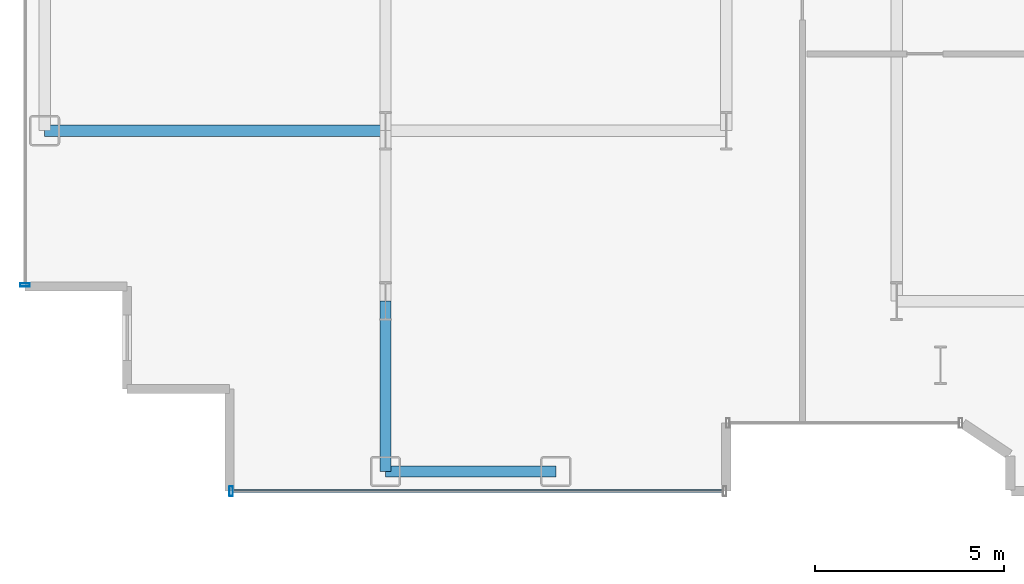
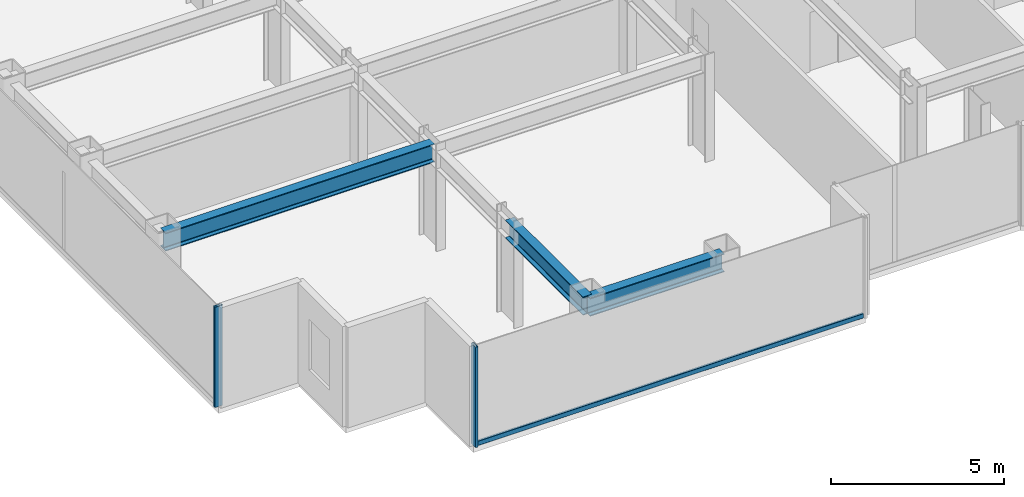
# One storey, part 2 of 26: 3 beams, 3 members, 2 elements without a shape of their own.
"""IFC4 building model written with IfcOpenShell, lengths in metres."""

from ifc_helpers import new_model, si_unit, direction, frame, origin, origin_2d, place, context, subcontext, project, spatial, hollow_rectangle, i_section, extrude, source, transform, mapped, material, layer, layer_set, material_profile, profile_set, type_object, element, aggregate, save


model = new_model("IFC4")

# Units and contexts
model_context = context("Model", 3, precision=1e-05, world=origin(), true_north=direction((0.0, 1.0)))
body_context = subcontext(model_context, "Body", "Model", "MODEL_VIEW")
ifc_project = project(units=[si_unit("LENGTHUNIT", "METRE"), si_unit("AREAUNIT", "SQUARE_METRE"), si_unit("VOLUMEUNIT", "CUBIC_METRE"), si_unit("PLANEANGLEUNIT", "RADIAN"), si_unit("MASSUNIT", "GRAM", prefix="KILO")], contexts=[model_context])

# Site, building, storey
site_placement = place(None, origin())
site = spatial("IfcSite", under=ifc_project, at=site_placement, CompositionType="ELEMENT")
building_placement = place(site_placement, origin())
building = spatial("IfcBuilding", under=site, at=building_placement, Name="Nefas-Gora Pilgrimage Tower", CompositionType="ELEMENT")
storey_placement = place(building_placement, frame((0.0, 0.0, 128.800048828125)))
storey = spatial("IfcBuildingStorey", under=building, at=storey_placement, Name="L31", CompositionType="ELEMENT", Elevation=128.800048828125)

# Beams
ifc_material_1 = material(Name="Steel S355", Category="steel")
ifc_material_profile_1 = material_profile(ifc_material_1, i_section(OverallWidth=0.300048828125, OverallDepth=0.64990234375, WebThickness=0.01611328125, FlangeThickness=0.031005859375, FilletRadius=0.027099609375, at=origin_2d()), Name="HEB 650")
ifc_profile_set_1 = profile_set([ifc_material_profile_1], Name="Steel S355")
beam_type_1 = type_object("IfcBeamType", Name="BM-SPN-HEB500", PredefinedType="SPANDREL", material=ifc_profile_set_1)
shared_shape_1 = source(origin(), body_context, "Body", "SweptSolid", [
    extrude(i_section(OverallWidth=0.300048828125, OverallDepth=0.64990234375, WebThickness=0.01611328125, FlangeThickness=0.031005859375, FilletRadius=0.027099609375, at=origin_2d()), origin(), (0.0, 0.0, 1.0), 4.5),
])
beam_1_placement = place(storey_placement, frame((-24.75, -22.5, 3.224853515625), z_axis=(1.0, 0.0, 0.0), x_axis=(0.0, 1.0, 0.0)))
element("IfcBeam", 1, at=beam_1_placement, inside=storey, type_object=beam_type_1, Name="L31 SP-02 beam", PredefinedType="SPANDREL", context=body_context, shape_type="MappedRepresentation", body=[
    mapped(shared_shape_1, transform((0.0, 0.0, 0.0), x_axis=(1.0, 0.0, 0.0), y_axis=(0.0, 1.0, 0.0), z_axis=(0.0, 0.0, 1.0), scale=1.0)),
])
ifc_material_profile_2 = material_profile(ifc_material_1, i_section(OverallWidth=0.300048828125, OverallDepth=0.64990234375, WebThickness=0.01611328125, FlangeThickness=0.031005859375, FilletRadius=0.027099609375, at=origin_2d()), Name="HEB 650")
ifc_profile_set_2 = profile_set([ifc_material_profile_2], Name="Steel S355")
beam_type_2 = type_object("IfcBeamType", Name="BM-GIR-HEB650", PredefinedType="BEAM", material=ifc_profile_set_2)
shared_shape_2 = source(origin(), body_context, "Body", "SweptSolid", [
    extrude(i_section(OverallWidth=0.300048828125, OverallDepth=0.64990234375, WebThickness=0.01611328125, FlangeThickness=0.031005859375, FilletRadius=0.027099609375, at=origin_2d()), origin(), (0.0, 0.0, 1.0), 9.0),
])
beam_2_placement = place(storey_placement, frame((-33.75, -13.5, 3.224853515625), z_axis=(1.0, 0.0, 0.0), x_axis=(0.0, 1.0, 0.0)))
element("IfcBeam", 2, at=beam_2_placement, inside=storey, type_object=beam_type_2, Name="L31 G-03 beam", PredefinedType="BEAM", context=body_context, shape_type="MappedRepresentation", body=[
    mapped(shared_shape_2, transform((0.0, 0.0, 0.0), x_axis=(1.0, 0.0, 0.0), y_axis=(0.0, 1.0, 0.0), z_axis=(0.0, 0.0, 1.0), scale=1.0)),
])
shared_shape_3 = source(origin(), body_context, "Body", "SweptSolid", [
    extrude(i_section(OverallWidth=0.300048828125, OverallDepth=0.64990234375, WebThickness=0.01611328125, FlangeThickness=0.031005859375, FilletRadius=0.027099609375, at=origin_2d()), origin(), (0.0, 0.0, 1.0), 4.5),
])
beam_3_placement = place(storey_placement, frame((-24.75, -22.5, 3.224853515625), z_axis=(0.0, 1.0, 0.0), x_axis=(-1.0, 0.0, 0.0)))
element("IfcBeam", 3, at=beam_3_placement, inside=storey, type_object=beam_type_2, Name="L31 G-03 beam", PredefinedType="BEAM", context=body_context, shape_type="MappedRepresentation", body=[
    mapped(shared_shape_3, transform((0.0, 0.0, 0.0), x_axis=(1.0, 0.0, 0.0), y_axis=(0.0, 1.0, 0.0), z_axis=(0.0, 0.0, 1.0), scale=1.0)),
])

# Curtain wall, member
ifc_material_2 = material(Name="Dark ceramic-fritted solar-control aluminium-glass curtain wall", Category="aluminium")
ifc_layer = layer(ifc_material_2, 0.219970703125)
ifc_layer_set = layer_set([ifc_layer], Name="Dark ceramic-fritted solar-control aluminium-glass curtain wall")
curtain_wall_type = type_object("IfcCurtainWallType", Name="CW-SYS-2", PredefinedType="NOTDEFINED", material=ifc_layer_set)
curtain_wall_1_placement = place(storey_placement, origin())
curtain_wall_1 = element("IfcCurtainWall", 4, at=curtain_wall_1_placement, inside=storey, type_object=curtain_wall_type, Name="L31 Unitised Curtain Wall CW2", PredefinedType="NOTDEFINED")
ifc_material_3 = material(Name="Anodised architectural aluminium", Category="aluminium")
ifc_material_profile_3 = material_profile(ifc_material_3, hollow_rectangle(XDim=0.090087890625, YDim=0.260009765625, WallThickness=0.006103515625, InnerFilletRadius=0.006103515625, OuterFilletRadius=0.011962890625, at=origin_2d()), Name="ALU MULLION 90x260")
ifc_profile_set_3 = profile_set([ifc_material_profile_3], Name="Anodised architectural aluminium")
member_type_1 = type_object("IfcMemberType", Name="CWM-MUL-2", PredefinedType="MULLION", material=ifc_profile_set_3)
shared_shape_4 = source(origin(), body_context, "Body", "SweptSolid", [
    extrude(hollow_rectangle(XDim=0.090087890625, YDim=0.260009765625, WallThickness=0.006103515625, InnerFilletRadius=0.006103515625, OuterFilletRadius=0.011962890625, at=origin_2d()), origin(), (0.0, 0.0, 1.0), 3.550048828125),
])
member_1_placement = place(storey_placement, frame((-34.27001953125, -17.574951171875, 0.0), z_axis=(0.0, 0.0, 1.0), x_axis=(0.0, -1.0, 0.0)))
member_1 = element("IfcMember", 5, at=member_1_placement, type_object=member_type_1, Name="CW2 Mullion 2", PredefinedType="MULLION", context=body_context, shape_type="MappedRepresentation", body=[
    mapped(shared_shape_4, transform((0.0, 0.0, 0.0), x_axis=(1.0, 0.0, 0.0), y_axis=(0.0, 1.0, 0.0), z_axis=(0.0, 0.0, 1.0), scale=1.0)),
])
aggregate(curtain_wall_1, [member_1])

# Curtain wall, members
curtain_wall_2_placement = place(storey_placement, origin())
curtain_wall_2 = element("IfcCurtainWall", 6, at=curtain_wall_2_placement, inside=storey, type_object=curtain_wall_type, Name="L31 Unitised Curtain Wall CW2", PredefinedType="NOTDEFINED")
member_2_placement = place(storey_placement, frame((-28.824951171875, -23.02001953125, 0.0), z_axis=(0.0, 0.0, 1.0), x_axis=(1.0, 0.0, 0.0)))
member_2 = element("IfcMember", 7, at=member_2_placement, type_object=member_type_1, Name="CW2 Mullion 1", PredefinedType="MULLION", context=body_context, shape_type="MappedRepresentation", body=[
    mapped(shared_shape_4, transform((0.0, 0.0, 0.0), x_axis=(1.0, 0.0, 0.0), y_axis=(0.0, 1.0, 0.0), z_axis=(0.0, 0.0, 1.0), scale=1.0)),
])
ifc_material_profile_4 = material_profile(ifc_material_3, hollow_rectangle(XDim=0.080078125, YDim=0.159912109375, WallThickness=0.00439453125, InnerFilletRadius=0.00439453125, OuterFilletRadius=0.009033203125, at=origin_2d()), Name="ALU TRANSOM 80x160")
ifc_profile_set_4 = profile_set([ifc_material_profile_4], Name="Anodised architectural aluminium")
member_type_2 = type_object("IfcMemberType", Name="CWM-TRN-2", PredefinedType="USERDEFINED", material=ifc_profile_set_4)
shared_shape_5 = source(origin(), body_context, "Body", "SweptSolid", [
    extrude(hollow_rectangle(XDim=0.080078125, YDim=0.159912109375, WallThickness=0.00439453125, InnerFilletRadius=0.00439453125, OuterFilletRadius=0.009033203125, at=origin_2d()), origin(), (0.0, 0.0, 1.0), 12.93994140625),
])
member_3_placement = place(storey_placement, frame((-28.780029296875, -23.02001953125, 0.050048828125), z_axis=(1.0, 0.0, 0.0), x_axis=(0.0, 1.0, 0.0)))
member_3 = element("IfcMember", 8, at=member_3_placement, type_object=member_type_2, Name="CW2 Spandrel Transom", ObjectType="TRANSOM", PredefinedType="USERDEFINED", context=body_context, shape_type="MappedRepresentation", body=[
    mapped(shared_shape_5, transform((0.0, 0.0, 0.0), x_axis=(1.0, 0.0, 0.0), y_axis=(0.0, 1.0, 0.0), z_axis=(0.0, 0.0, 1.0), scale=1.0)),
])
aggregate(curtain_wall_2, [member_2, member_3])

save(model, "model.ifc")
